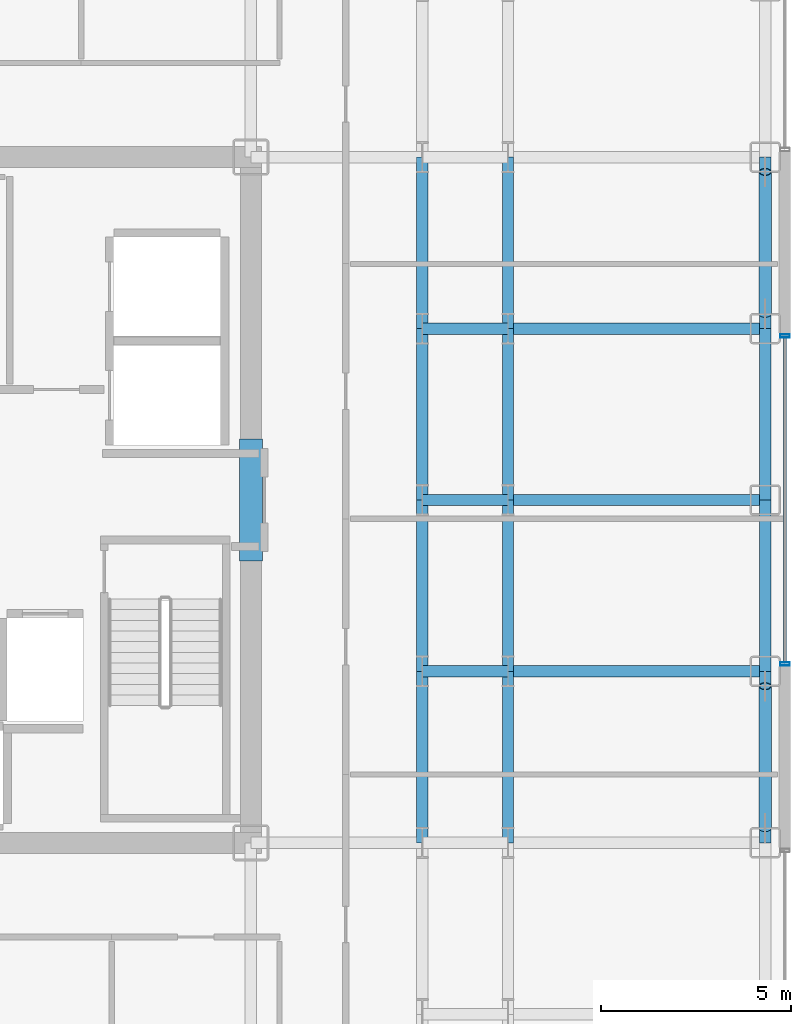
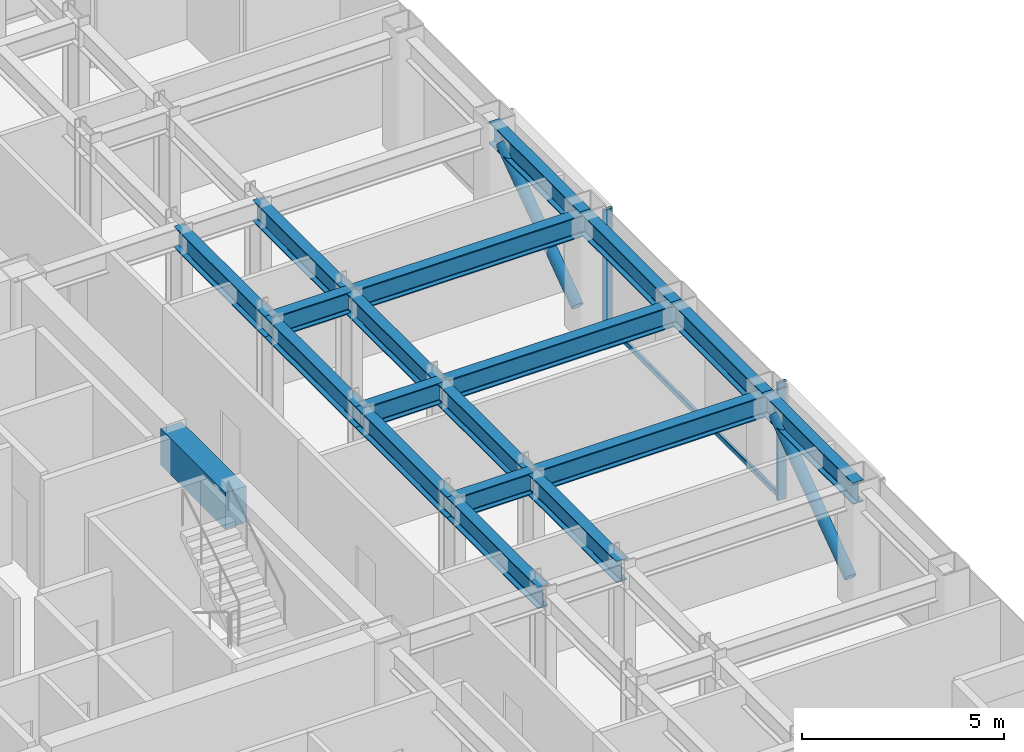
# One storey, part 11 of 26: 19 beams, 5 members, 1 element without a shape of its own.
"""IFC4 building model written with IfcOpenShell, lengths in metres."""

from ifc_helpers import new_model, si_unit, direction, frame, origin, origin_2d, place, context, subcontext, project, spatial, rectangle, hollow_rectangle, hollow_circle, i_section, extrude, source, transform, mapped, material, layer, layer_set, material_profile, profile_set, type_object, element, aggregate, save


model = new_model("IFC4")

# Units and contexts
model_context = context("Model", 3, precision=1e-05, world=origin(), true_north=direction((0.0, 1.0)))
body_context = subcontext(model_context, "Body", "Model", "MODEL_VIEW")
ifc_project = project(units=[si_unit("LENGTHUNIT", "METRE"), si_unit("AREAUNIT", "SQUARE_METRE"), si_unit("VOLUMEUNIT", "CUBIC_METRE"), si_unit("PLANEANGLEUNIT", "RADIAN"), si_unit("MASSUNIT", "GRAM", prefix="KILO")], contexts=[model_context])

# Site, building, storey
site_placement = place(None, origin())
site = spatial("IfcSite", under=ifc_project, at=site_placement, CompositionType="ELEMENT")
building_placement = place(site_placement, origin())
building = spatial("IfcBuilding", under=site, at=building_placement, Name="Nefas-Gora Pilgrimage Tower", CompositionType="ELEMENT")
storey_placement = place(building_placement, frame((0.0, 0.0, 160.199951171875)))
storey = spatial("IfcBuildingStorey", under=building, at=storey_placement, Name="L39", CompositionType="ELEMENT", Elevation=160.199951171875)

# Beams
ifc_material_1 = material(Name="Concrete C60/75", Category="concrete")
ifc_material_profile_1 = material_profile(ifc_material_1, rectangle(XDim=0.60009765625, YDim=1.10009765625, at=origin_2d()), Name="RC 600x1100")
ifc_profile_set_1 = profile_set([ifc_material_profile_1], Name="Concrete C60/75")
beam_type_1 = type_object("IfcBeamType", Name="BM-LIN-RC1100", PredefinedType="LINTEL", material=ifc_profile_set_1)
shared_shape_1 = source(origin(), body_context, "Body", "SweptSolid", [
    extrude(rectangle(XDim=0.60009765625, YDim=1.10009765625, at=origin_2d()), origin(), (0.0, 0.0, 1.0), 3.2001953125),
])
beam_placement = place(storey_placement, frame((11.25, -1.60009765625, 3.0), z_axis=(0.0, 1.0, 0.0), x_axis=(-1.0, 0.0, 0.0)))
element("IfcBeam", 1, at=beam_placement, inside=storey, type_object=beam_type_1, Name="L39 Core Coupling Lintel Beam E", PredefinedType="LINTEL", context=body_context, shape_type="MappedRepresentation", body=[
    mapped(shared_shape_1, transform((0.0, 0.0, 0.0), x_axis=(1.0, 0.0, 0.0), y_axis=(0.0, 1.0, 0.0), z_axis=(0.0, 0.0, 1.0), scale=1.0)),
])
ifc_material_2 = material(Name="Steel S355", Category="steel")
ifc_material_profile_2 = material_profile(ifc_material_2, i_section(OverallWidth=0.300048828125, OverallDepth=0.64990234375, WebThickness=0.01611328125, FlangeThickness=0.031005859375, FilletRadius=0.027099609375, at=origin_2d()), Name="HEB 650")
ifc_profile_set_2 = profile_set([ifc_material_profile_2], Name="Steel S355")
beam_type_2 = type_object("IfcBeamType", Name="BM-SPN-HEB500", PredefinedType="SPANDREL", material=ifc_profile_set_2)
shared_shape_2 = source(origin(), body_context, "Body", "SweptSolid", [
    extrude(i_section(OverallWidth=0.300048828125, OverallDepth=0.64990234375, WebThickness=0.01611328125, FlangeThickness=0.031005859375, FilletRadius=0.027099609375, at=origin_2d()), origin(), (0.0, 0.0, 1.0), 4.5),
])
for number, where, z_axis, x_axis, name in (
    (2, (24.75, -9.0, 3.22509765625), (0.0, 1.0, 0.0), (-1.0, 0.0, 0.0), "L39 SP-02 beam"),
    (3, (24.75, -4.5, 3.22509765625), (0.0, 1.0, 0.0), (-1.0, 0.0, 0.0), "L39 SP-02 beam"),
    (4, (24.75, 0.0, 3.22509765625), (0.0, 1.0, 0.0), (-1.0, 0.0, 0.0), "L39 SP-02 beam"),
    (5, (24.75, 4.5, 3.22509765625), (0.0, 1.0, 0.0), (-1.0, 0.0, 0.0), "L39 SP-02 beam"),
):
    element("IfcBeam", number, at=place(storey_placement, frame(where, z_axis=z_axis, x_axis=x_axis)), inside=storey, type_object=beam_type_2, Name=name, PredefinedType="SPANDREL", context=body_context, shape_type="MappedRepresentation", body=[
        mapped(shared_shape_2, transform((0.0, 0.0, 0.0), x_axis=(1.0, 0.0, 0.0), y_axis=(0.0, 1.0, 0.0), z_axis=(0.0, 0.0, 1.0), scale=1.0)),
    ])
ifc_material_profile_3 = material_profile(ifc_material_2, i_section(OverallWidth=0.300048828125, OverallDepth=0.64990234375, WebThickness=0.01611328125, FlangeThickness=0.031005859375, FilletRadius=0.027099609375, at=origin_2d()), Name="HEB 650")
ifc_profile_set_3 = profile_set([ifc_material_profile_3], Name="Steel S355")
beam_type_3 = type_object("IfcBeamType", Name="BM-GIR-HEB650", PredefinedType="BEAM", material=ifc_profile_set_3)
shared_shape_3 = source(origin(), body_context, "Body", "SweptSolid", [
    extrude(i_section(OverallWidth=0.300048828125, OverallDepth=0.64990234375, WebThickness=0.01611328125, FlangeThickness=0.031005859375, FilletRadius=0.027099609375, at=origin_2d()), origin(), (0.0, 0.0, 1.0), 4.5),
])
for number, where, z_axis, x_axis, name in (
    (6, (15.75, -9.0, 3.22509765625), (0.0, 1.0, 0.0), (-1.0, 0.0, 0.0), "L39 G-03 beam"),
    (7, (15.75, -4.5, 3.22509765625), (0.0, 1.0, 0.0), (-1.0, 0.0, 0.0), "L39 G-03 beam"),
    (8, (15.75, 0.0, 3.22509765625), (0.0, 1.0, 0.0), (-1.0, 0.0, 0.0), "L39 G-03 beam"),
    (9, (15.75, 4.5, 3.22509765625), (0.0, 1.0, 0.0), (-1.0, 0.0, 0.0), "L39 G-03 beam"),
    (10, (18.0, -9.0, 3.22509765625), (0.0, 1.0, 0.0), (-1.0, 0.0, 0.0), "L39 G-03 beam"),
    (11, (18.0, -4.5, 3.22509765625), (0.0, 1.0, 0.0), (-1.0, 0.0, 0.0), "L39 G-03 beam"),
    (12, (18.0, 0.0, 3.22509765625), (0.0, 1.0, 0.0), (-1.0, 0.0, 0.0), "L39 G-03 beam"),
    (13, (18.0, 4.5, 3.22509765625), (0.0, 1.0, 0.0), (-1.0, 0.0, 0.0), "L39 G-03 beam"),
):
    element("IfcBeam", number, at=place(storey_placement, frame(where, z_axis=z_axis, x_axis=x_axis)), inside=storey, type_object=beam_type_3, Name=name, PredefinedType="BEAM", context=body_context, shape_type="MappedRepresentation", body=[
        mapped(shared_shape_3, transform((0.0, 0.0, 0.0), x_axis=(1.0, 0.0, 0.0), y_axis=(0.0, 1.0, 0.0), z_axis=(0.0, 0.0, 1.0), scale=1.0)),
    ])
shared_shape_4 = source(origin(), body_context, "Body", "SweptSolid", [
    extrude(i_section(OverallWidth=0.300048828125, OverallDepth=0.64990234375, WebThickness=0.01611328125, FlangeThickness=0.031005859375, FilletRadius=0.027099609375, at=origin_2d()), origin(), (0.0, 0.0, 1.0), 6.75),
])
for number, where, z_axis, x_axis, name in (
    (14, (18.0, -4.5, 3.22509765625), (1.0, 0.0, 0.0), (0.0, 1.0, 0.0), "L39 G-03 beam"),
    (15, (18.0, 0.0, 3.22509765625), (1.0, 0.0, 0.0), (0.0, 1.0, 0.0), "L39 G-03 beam"),
    (16, (18.0, 4.5, 3.22509765625), (1.0, 0.0, 0.0), (0.0, 1.0, 0.0), "L39 G-03 beam"),
):
    element("IfcBeam", number, at=place(storey_placement, frame(where, z_axis=z_axis, x_axis=x_axis)), inside=storey, type_object=beam_type_3, Name=name, PredefinedType="BEAM", context=body_context, shape_type="MappedRepresentation", body=[
        mapped(shared_shape_4, transform((0.0, 0.0, 0.0), x_axis=(1.0, 0.0, 0.0), y_axis=(0.0, 1.0, 0.0), z_axis=(0.0, 0.0, 1.0), scale=1.0)),
    ])
shared_shape_5 = source(origin(), body_context, "Body", "SweptSolid", [
    extrude(i_section(OverallWidth=0.300048828125, OverallDepth=0.64990234375, WebThickness=0.01611328125, FlangeThickness=0.031005859375, FilletRadius=0.027099609375, at=origin_2d()), origin(), (0.0, 0.0, 1.0), 2.25),
])
for number, where, z_axis, x_axis, name in (
    (17, (15.75, -4.5, 3.22509765625), (1.0, 0.0, 0.0), (0.0, 1.0, 0.0), "L39 G-03 beam"),
    (18, (15.75, 0.0, 3.22509765625), (1.0, 0.0, 0.0), (0.0, 1.0, 0.0), "L39 G-03 beam"),
    (19, (15.75, 4.5, 3.22509765625), (1.0, 0.0, 0.0), (0.0, 1.0, 0.0), "L39 G-03 beam"),
):
    element("IfcBeam", number, at=place(storey_placement, frame(where, z_axis=z_axis, x_axis=x_axis)), inside=storey, type_object=beam_type_3, Name=name, PredefinedType="BEAM", context=body_context, shape_type="MappedRepresentation", body=[
        mapped(shared_shape_5, transform((0.0, 0.0, 0.0), x_axis=(1.0, 0.0, 0.0), y_axis=(0.0, 1.0, 0.0), z_axis=(0.0, 0.0, 1.0), scale=1.0)),
    ])

# Members
ifc_material_profile_4 = material_profile(ifc_material_2, hollow_circle(Radius=0.161865234375, WallThickness=0.02001953125, at=origin_2d()), Name="CHS 323.9x20")
ifc_profile_set_4 = profile_set([ifc_material_profile_4], Name="Steel S355")
member_type_1 = type_object("IfcMemberType", Name="MEM-TUBE-324", PredefinedType="BRACE", material=ifc_profile_set_4)
shared_shape_6 = source(origin(), body_context, "Body", "SweptSolid", [
    extrude(hollow_circle(Radius=0.161865234375, WallThickness=0.02001953125, at=origin_2d()), origin(), (0.0, 0.0, 1.0), 4.579345703125),
])
for number, where, z_axis, x_axis, name in (
    (20, (24.75, -8.612060546875, 0.427734375), (0.0, 0.813246879171, 0.581918820385), (-1.0, 0.0, 0.0), "L39 Perimeter Tube Diagonal Brace E1"),
    (21, (24.75, 4.887939453125, 0.427734375), (0.0, 0.813246879171, 0.581918820385), (-1.0, 0.0, 0.0), "L39 Perimeter Tube Diagonal Brace E2"),
):
    element("IfcMember", number, at=place(storey_placement, frame(where, z_axis=z_axis, x_axis=x_axis)), inside=storey, type_object=member_type_1, Name=name, PredefinedType="BRACE", context=body_context, shape_type="MappedRepresentation", body=[
        mapped(shared_shape_6, transform((0.0, 0.0, 0.0), x_axis=(1.0, 0.0, 0.0), y_axis=(0.0, 1.0, 0.0), z_axis=(0.0, 0.0, 1.0), scale=1.0)),
    ])

# Curtain wall, members
ifc_material_3 = material(Name="Dark ceramic-fritted solar-control aluminium-glass curtain wall", Category="aluminium")
ifc_layer = layer(ifc_material_3, 0.219970703125)
ifc_layer_set = layer_set([ifc_layer], Name="Dark ceramic-fritted solar-control aluminium-glass curtain wall")
curtain_wall_type = type_object("IfcCurtainWallType", Name="CW-SYS-3", PredefinedType="NOTDEFINED", material=ifc_layer_set)
curtain_wall_placement = place(storey_placement, origin())
curtain_wall = element("IfcCurtainWall", 22, at=curtain_wall_placement, inside=storey, type_object=curtain_wall_type, Name="L39 Unitised Curtain Wall CW3", PredefinedType="NOTDEFINED")
ifc_material_4 = material(Name="Anodised architectural aluminium", Category="aluminium")
ifc_material_profile_5 = material_profile(ifc_material_4, hollow_rectangle(XDim=0.090087890625, YDim=0.260009765625, WallThickness=0.006103515625, InnerFilletRadius=0.006103515625, OuterFilletRadius=0.011962890625, at=origin_2d()), Name="ALU MULLION 90x260")
ifc_profile_set_5 = profile_set([ifc_material_profile_5], Name="Anodised architectural aluminium")
member_type_2 = type_object("IfcMemberType", Name="CWM-MUL-3", PredefinedType="MULLION", material=ifc_profile_set_5)
shared_shape_7 = source(origin(), body_context, "Body", "SweptSolid", [
    extrude(hollow_rectangle(XDim=0.090087890625, YDim=0.260009765625, WallThickness=0.006103515625, InnerFilletRadius=0.006103515625, OuterFilletRadius=0.011962890625, at=origin_2d()), origin(), (0.0, 0.0, 1.0), 3.550048828125),
])
member_1_placement = place(storey_placement, frame((25.27001953125, -4.304931640625, 0.0), z_axis=(0.0, 0.0, 1.0), x_axis=(0.0, 1.0, 0.0)))
member_1 = element("IfcMember", 23, at=member_1_placement, type_object=member_type_2, Name="CW3 Mullion 1", PredefinedType="MULLION", context=body_context, shape_type="MappedRepresentation", body=[
    mapped(shared_shape_7, transform((0.0, 0.0, 0.0), x_axis=(1.0, 0.0, 0.0), y_axis=(0.0, 1.0, 0.0), z_axis=(0.0, 0.0, 1.0), scale=1.0)),
])
member_2_placement = place(storey_placement, frame((25.27001953125, 4.304931640625, 0.0), z_axis=(0.0, 0.0, 1.0), x_axis=(0.0, 1.0, 0.0)))
member_2 = element("IfcMember", 24, at=member_2_placement, type_object=member_type_2, Name="CW3 Mullion 2", PredefinedType="MULLION", context=body_context, shape_type="MappedRepresentation", body=[
    mapped(shared_shape_7, transform((0.0, 0.0, 0.0), x_axis=(1.0, 0.0, 0.0), y_axis=(0.0, 1.0, 0.0), z_axis=(0.0, 0.0, 1.0), scale=1.0)),
])
ifc_material_profile_6 = material_profile(ifc_material_4, hollow_rectangle(XDim=0.080078125, YDim=0.159912109375, WallThickness=0.00439453125, InnerFilletRadius=0.00439453125, OuterFilletRadius=0.009033203125, at=origin_2d()), Name="ALU TRANSOM 80x160")
ifc_profile_set_6 = profile_set([ifc_material_profile_6], Name="Anodised architectural aluminium")
member_type_3 = type_object("IfcMemberType", Name="CWM-TRN-3", PredefinedType="USERDEFINED", material=ifc_profile_set_6)
shared_shape_8 = source(origin(), body_context, "Body", "SweptSolid", [
    extrude(hollow_rectangle(XDim=0.080078125, YDim=0.159912109375, WallThickness=0.00439453125, InnerFilletRadius=0.00439453125, OuterFilletRadius=0.009033203125, at=origin_2d()), origin(), (0.0, 0.0, 1.0), 8.52001953125),
])
member_3_placement = place(storey_placement, frame((25.27001953125, -4.260009765625, 0.050048828125), z_axis=(0.0, 1.0, 0.0), x_axis=(-1.0, 0.0, 0.0)))
member_3 = element("IfcMember", 25, at=member_3_placement, type_object=member_type_3, Name="CW3 Spandrel Transom", ObjectType="TRANSOM", PredefinedType="USERDEFINED", context=body_context, shape_type="MappedRepresentation", body=[
    mapped(shared_shape_8, transform((0.0, 0.0, 0.0), x_axis=(1.0, 0.0, 0.0), y_axis=(0.0, 1.0, 0.0), z_axis=(0.0, 0.0, 1.0), scale=1.0)),
])
aggregate(curtain_wall, [member_1, member_2, member_3])

save(model, "model.ifc")
